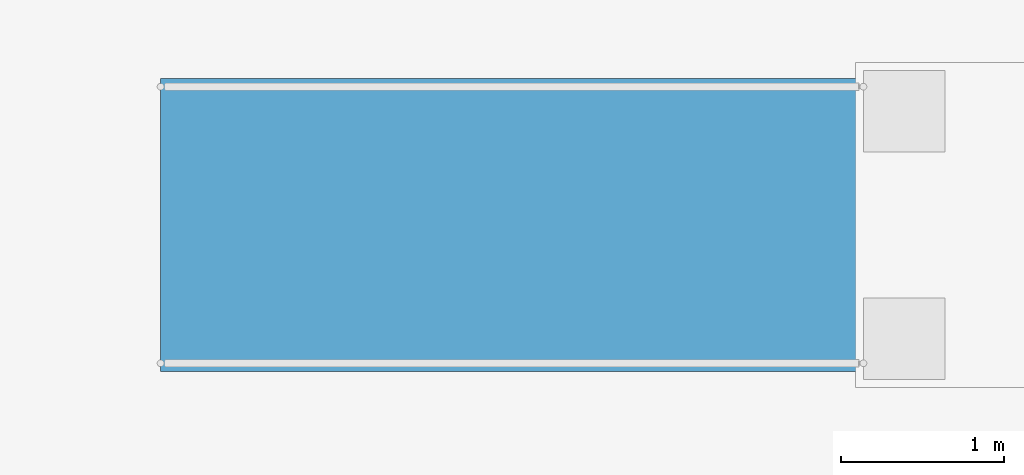
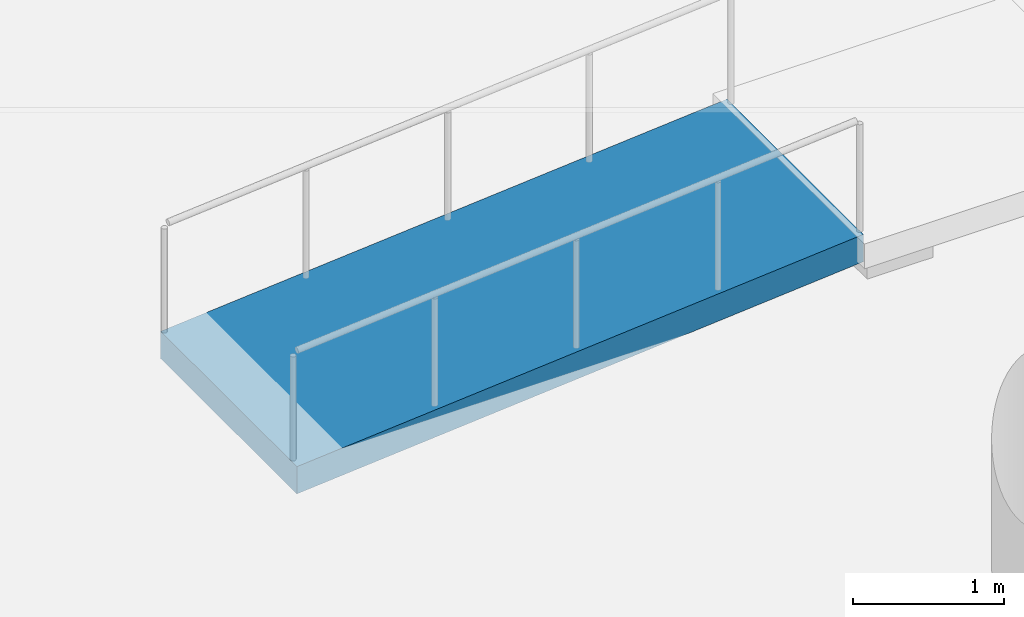
# One storey, part 131 of 152: 1 ramp flight, 1 element without a shape of its own.
"""IFC4 building model written with IfcOpenShell, lengths in metres."""

from ifc_helpers import new_model, si_unit, direction, frame, origin, place, context, subcontext, project, spatial, polyline, outline, extrude, material, layer, layer_set, type_object, element, aggregate, save


model = new_model("IFC4")

# Units and contexts
model_context = context("Model", 3, precision=1e-05, world=origin(), true_north=direction((0.0, 1.0)))
body_context = subcontext(model_context, "Body", "Model", "MODEL_VIEW")
ifc_project = project(units=[si_unit("LENGTHUNIT", "METRE"), si_unit("AREAUNIT", "SQUARE_METRE"), si_unit("VOLUMEUNIT", "CUBIC_METRE"), si_unit("PLANEANGLEUNIT", "RADIAN"), si_unit("MASSUNIT", "GRAM", prefix="KILO"), si_unit("THERMODYNAMICTEMPERATUREUNIT", "KELVIN"), si_unit("POWERUNIT", "WATT")], contexts=[model_context])

# Site, building, storey
site_placement = place(None, origin())
site = spatial("IfcSite", under=ifc_project, at=site_placement, CompositionType="ELEMENT")
building_placement = place(site_placement, origin())
building = spatial("IfcBuilding", under=site, at=building_placement, Name="Darbajah Civic Hall", CompositionType="ELEMENT")
storey_placement = place(building_placement, frame((0.0, 0.0, 5.39990234375)))
storey = spatial("IfcBuildingStorey", under=building, at=storey_placement, Name="L01", CompositionType="ELEMENT", Elevation=5.39990234375)

# Ramp, ramp flight
ifc_material = material(Name="Concrete C45/55", Category="concrete")
ramp_type = type_object("IfcRampType", Name="Accessible Straight Ramp", PredefinedType="STRAIGHT_RUN_RAMP", material=ifc_material)
ramp_placement = place(storey_placement, origin())
ramp = element("IfcRamp", 1, at=ramp_placement, inside=storey, type_object=ramp_type, Name="Council Chamber Mayoral Dais Ramp", PredefinedType="STRAIGHT_RUN_RAMP")
ifc_layer = layer(ifc_material, 0.219970703125, Name="Concrete C45/55")
ifc_layer_set = layer_set([ifc_layer], Name="Concrete C45/55")
ramp_flight_type = type_object("IfcRampFlightType", Name="Interior Ramp Flight 1800mm", PredefinedType="STRAIGHT", material=ifc_layer_set)
ramp_flight_placement = place(storey_placement, frame((17.5, 75.5, 0.0), z_axis=(0.0, 0.0, 1.0), x_axis=(1.0, 0.0, 0.0)))
ramp_flight = element("IfcRampFlight", 2, at=ramp_flight_placement, type_object=ramp_flight_type, Name="Council Chamber Mayoral Dais Ramp flight", PredefinedType="STRAIGHT", context=body_context, shape_type="SweptSolid", body=[
    extrude(outline(polyline([(0.0, 0.0), (4.320068359375, 0.360107421875), (4.320068359375, 0.14013671875), (0.0, -0.219970703125), (0.0, 0.0)])), frame((0.0, 0.89990234375, 0.0), z_axis=(0.0, -1.0, 0.0), x_axis=(1.0, 0.0, 0.0)), (0.0, 0.0, 1.0), 1.800048828125),
])
aggregate(ramp, [ramp_flight])

save(model, "model.ifc")
